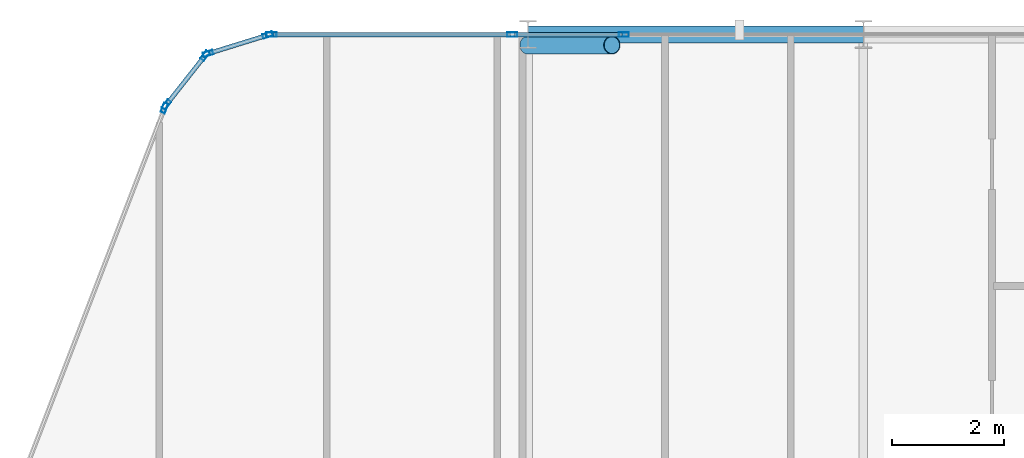
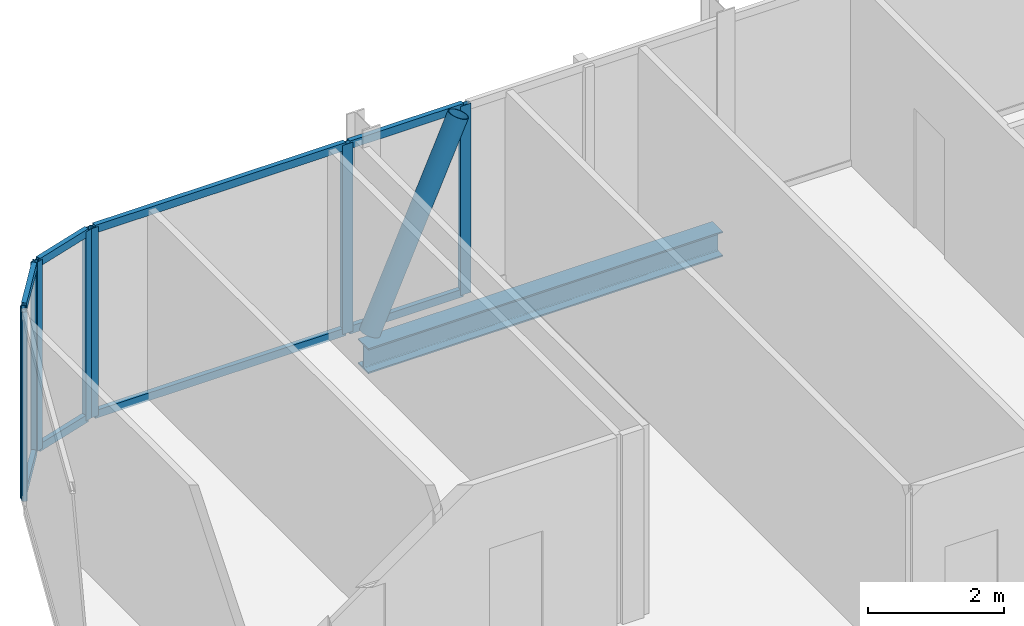
# One storey, part 17 of 31: 17 members, 1 beam, 5 elements without a shape of their own.
"""IFC4 building model written with IfcOpenShell, lengths in metres."""

from ifc_helpers import new_model, si_unit, direction, frame, origin, origin_2d, place, context, subcontext, project, spatial, hollow_rectangle, hollow_circle, i_section, extrude, material, layer, layer_set, material_profile, profile_set, type_object, element, aggregate, save


model = new_model("IFC4")

# Units and contexts
model_context = context("Model", 3, precision=1e-05, world=origin(), true_north=direction((0.0, 1.0)))
body_context = subcontext(model_context, "Body", "Model", "MODEL_VIEW")
ifc_project = project(units=[si_unit("LENGTHUNIT", "METRE"), si_unit("AREAUNIT", "SQUARE_METRE"), si_unit("VOLUMEUNIT", "CUBIC_METRE"), si_unit("PLANEANGLEUNIT", "RADIAN"), si_unit("MASSUNIT", "GRAM", prefix="KILO")], contexts=[model_context])

# Site, building, storey
site_placement = place(None, origin())
site = spatial("IfcSite", under=ifc_project, at=site_placement, CompositionType="ELEMENT")
building_placement = place(site_placement, origin())
building = spatial("IfcBuilding", under=site, at=building_placement, Name="Keshet Zoharim Tower", CompositionType="ELEMENT")
storey_placement = place(building_placement, frame((0.0, 0.0, 133.5)))
storey = spatial("IfcBuildingStorey", under=building, at=storey_placement, Name="L32", CompositionType="ELEMENT", Elevation=133.5)

# Beam
ifc_material_1 = material(Name="Steel S355", Category="steel")
ifc_material_profile_1 = material_profile(ifc_material_1, i_section(OverallWidth=0.300048828125, OverallDepth=0.449951171875, WebThickness=0.013916015625, FlangeThickness=0.02587890625, FilletRadius=0.027099609375, at=origin_2d()), Name="HEB450")
ifc_profile_set_1 = profile_set([ifc_material_profile_1], Name="Steel S355")
beam_type = type_object("IfcBeamType", Name="BM-WEB-HB450", PredefinedType="BEAM", material=ifc_profile_set_1)
beam_placement = place(storey_placement, frame((21.0, 53.89990234375, -0.5400390625), z_axis=(1.0, 0.0, 0.0), x_axis=(0.0, 1.0, 0.0)))
element("IfcBeam", 1, at=beam_placement, inside=storey, type_object=beam_type, Name="L32 Primary Girder X-020", PredefinedType="BEAM", context=body_context, shape_type="SweptSolid", body=[
    extrude(i_section(OverallWidth=0.300048828125, OverallDepth=0.449951171875, WebThickness=0.013916015625, FlangeThickness=0.02587890625, FilletRadius=0.027099609375, at=origin_2d()), origin(), (0.0, 0.0, 1.0), 6.0),
])

# Curtain wall, member
ifc_material_2 = material(Name="Aluminium 6063-T6", Category="aluminium")
ifc_layer = layer(ifc_material_2, 0.159912109375)
ifc_layer_set = layer_set([ifc_layer], Name="Aluminium 6063-T6")
curtain_wall_type = type_object("IfcCurtainWallType", Name="CW-SYS-03", PredefinedType="NOTDEFINED", material=ifc_layer_set)
curtain_wall_1_placement = place(storey_placement, origin())
curtain_wall_1 = element("IfcCurtainWall", 2, at=curtain_wall_1_placement, inside=storey, type_object=curtain_wall_type, Name="L32 Unitised Curtain Wall 10", PredefinedType="NOTDEFINED")
ifc_material_profile_2 = material_profile(ifc_material_2, hollow_rectangle(XDim=0.080078125, YDim=0.179931640625, WallThickness=0.00439453125, at=origin_2d()), Name="MUL-80x180")
ifc_profile_set_2 = profile_set([ifc_material_profile_2], Name="Aluminium 6063-T6")
member_type_1 = type_object("IfcMemberType", Name="CWM-M18", PredefinedType="MULLION", material=ifc_profile_set_2)
member_1_placement = place(storey_placement, frame((14.494384765625, 52.58544921875, 0.0), z_axis=(0.0, 0.0, 1.0), x_axis=(-0.933341404361, 0.358990003907, 0.0)))
member_1 = element("IfcMember", 3, at=member_1_placement, type_object=member_type_1, Name="CW-03 mullion 4", PredefinedType="MULLION", context=body_context, shape_type="SweptSolid", body=[
    extrude(hollow_rectangle(XDim=0.080078125, YDim=0.179931640625, WallThickness=0.00439453125, at=origin_2d()), origin(), (0.0, 0.0, 1.0), 3.385009765625),
])
aggregate(curtain_wall_1, [member_1])

# Curtain wall, members
curtain_wall_2_placement = place(storey_placement, origin())
curtain_wall_2 = element("IfcCurtainWall", 4, at=curtain_wall_2_placement, inside=storey, type_object=curtain_wall_type, Name="L32 Unitised Curtain Wall 11", PredefinedType="NOTDEFINED")
member_2_placement = place(storey_placement, frame((14.528564453125, 52.6455078125, 0.0), z_axis=(0.0, 0.0, 1.0), x_axis=(-0.785292825205, 0.619124525989, 0.0)))
member_2 = element("IfcMember", 5, at=member_2_placement, type_object=member_type_1, Name="CW-03 mullion 1", PredefinedType="MULLION", context=body_context, shape_type="SweptSolid", body=[
    extrude(hollow_rectangle(XDim=0.080078125, YDim=0.179931640625, WallThickness=0.00439453125, at=origin_2d()), origin(), (0.0, 0.0, 1.0), 3.385009765625),
])
member_3_placement = place(storey_placement, frame((15.21923828125, 53.521484375, 0.0), z_axis=(0.0, 0.0, 1.0), x_axis=(-0.785292825205, 0.619124525989, 0.0)))
member_3 = element("IfcMember", 6, at=member_3_placement, type_object=member_type_1, Name="CW-03 mullion 2", PredefinedType="MULLION", context=body_context, shape_type="SweptSolid", body=[
    extrude(hollow_rectangle(XDim=0.080078125, YDim=0.179931640625, WallThickness=0.00439453125, at=origin_2d()), origin(), (0.0, 0.0, 1.0), 3.385009765625),
])

curtain_wall_3_placement = place(storey_placement, origin())
curtain_wall_3 = element("IfcCurtainWall", 7, at=curtain_wall_3_placement, inside=storey, type_object=curtain_wall_type, Name="L32 Unitised Curtain Wall 12", PredefinedType="NOTDEFINED")
member_4_placement = place(storey_placement, frame((15.2744140625, 53.559326171875, 0.0), z_axis=(0.0, 0.0, 1.0), x_axis=(-0.295921857984, 0.955212151288, 0.0)))
member_4 = element("IfcMember", 8, at=member_4_placement, type_object=member_type_1, Name="CW-03 mullion 1", PredefinedType="MULLION", context=body_context, shape_type="SweptSolid", body=[
    extrude(hollow_rectangle(XDim=0.080078125, YDim=0.179931640625, WallThickness=0.00439453125, at=origin_2d()), origin(), (0.0, 0.0, 1.0), 3.385009765625),
])
member_5_placement = place(storey_placement, frame((16.340576171875, 53.8896484375, 0.0), z_axis=(0.0, 0.0, 1.0), x_axis=(-0.295921857984, 0.955212151288, 0.0)))
member_5 = element("IfcMember", 9, at=member_5_placement, type_object=member_type_1, Name="CW-03 mullion 2", PredefinedType="MULLION", context=body_context, shape_type="SweptSolid", body=[
    extrude(hollow_rectangle(XDim=0.080078125, YDim=0.179931640625, WallThickness=0.00439453125, at=origin_2d()), origin(), (0.0, 0.0, 1.0), 3.385009765625),
])

curtain_wall_4_placement = place(storey_placement, origin())
curtain_wall_4 = element("IfcCurtainWall", 10, at=curtain_wall_4_placement, inside=storey, type_object=curtain_wall_type, Name="L32 Unitised Curtain Wall 13", PredefinedType="NOTDEFINED")
member_6_placement = place(storey_placement, frame((16.408935546875, 53.89990234375, 0.0), z_axis=(0.0, 0.0, 1.0), x_axis=(0.0, 1.0, 0.0)))
member_6 = element("IfcMember", 11, at=member_6_placement, type_object=member_type_1, Name="CW-03 mullion 1", PredefinedType="MULLION", context=body_context, shape_type="SweptSolid", body=[
    extrude(hollow_rectangle(XDim=0.080078125, YDim=0.179931640625, WallThickness=0.00439453125, at=origin_2d()), origin(), (0.0, 0.0, 1.0), 3.385009765625),
])
member_7_placement = place(storey_placement, frame((20.716796875, 53.89990234375, 0.0), z_axis=(0.0, 0.0, 1.0), x_axis=(0.0, 1.0, 0.0)))
member_7 = element("IfcMember", 12, at=member_7_placement, type_object=member_type_1, Name="CW-03 mullion 2", PredefinedType="MULLION", context=body_context, shape_type="SweptSolid", body=[
    extrude(hollow_rectangle(XDim=0.080078125, YDim=0.179931640625, WallThickness=0.00439453125, at=origin_2d()), origin(), (0.0, 0.0, 1.0), 3.385009765625),
])

# Curtain wall, member
curtain_wall_5_placement = place(storey_placement, origin())
curtain_wall_5 = element("IfcCurtainWall", 13, at=curtain_wall_5_placement, inside=storey, type_object=curtain_wall_type, Name="L32 Unitised Curtain Wall 13 Part 2", PredefinedType="NOTDEFINED")
member_8_placement = place(storey_placement, frame((22.713134765625, 53.89990234375, 0.0), z_axis=(0.0, 0.0, 1.0), x_axis=(0.0, 1.0, 0.0)))
member_8 = element("IfcMember", 14, at=member_8_placement, type_object=member_type_1, Name="CW-03 mullion 2", PredefinedType="MULLION", context=body_context, shape_type="SweptSolid", body=[
    extrude(hollow_rectangle(XDim=0.080078125, YDim=0.179931640625, WallThickness=0.00439453125, at=origin_2d()), origin(), (0.0, 0.0, 1.0), 3.385009765625),
])

# Member
ifc_material_profile_3 = material_profile(ifc_material_2, hollow_rectangle(XDim=0.080078125, YDim=0.139892578125, WallThickness=0.00390625, at=origin_2d()), Name="TRN-80x140")
ifc_profile_set_3 = profile_set([ifc_material_profile_3], Name="Aluminium 6063-T6")
member_type_2 = type_object("IfcMemberType", Name="CWT-T14", PredefinedType="USERDEFINED", material=ifc_profile_set_3)
member_9_placement = place(storey_placement, frame((14.55029296875, 52.6728515625, 0.034912109375), z_axis=(0.619099165969, 0.78531281837, 0.0), x_axis=(-0.78531281837, 0.619099165969, 0.0)))
member_9 = element("IfcMember", 15, at=member_9_placement, type_object=member_type_2, Name="CW-03 transom 1.1", ObjectType="TRANSOM", PredefinedType="USERDEFINED", context=body_context, shape_type="SweptSolid", body=[
    extrude(hollow_rectangle(XDim=0.080078125, YDim=0.139892578125, WallThickness=0.00390625, at=origin_2d()), origin(), (0.0, 0.0, 1.0), 1.0458984375),
])

member_10_placement = place(storey_placement, frame((14.55029296875, 52.6728515625, 3.35009765625), z_axis=(0.619099165969, 0.78531281837, 0.0), x_axis=(-0.78531281837, 0.619099165969, 0.0)))
member_10 = element("IfcMember", 16, at=member_10_placement, type_object=member_type_2, Name="CW-03 transom 1.2", ObjectType="TRANSOM", PredefinedType="USERDEFINED", context=body_context, shape_type="SweptSolid", body=[
    extrude(hollow_rectangle(XDim=0.080078125, YDim=0.139892578125, WallThickness=0.00390625, at=origin_2d()), origin(), (0.0, 0.0, 1.0), 1.0458984375),
])

aggregate(curtain_wall_2, [member_2, member_3, member_9, member_10])

member_11_placement = place(storey_placement, frame((15.307861328125, 53.56982421875, 0.034912109375), z_axis=(0.955212093062, 0.295922045933, 0.0), x_axis=(-0.295922045933, 0.955212093062, 0.0)))
member_11 = element("IfcMember", 17, at=member_11_placement, type_object=member_type_2, Name="CW-03 transom 1.1", ObjectType="TRANSOM", PredefinedType="USERDEFINED", context=body_context, shape_type="SweptSolid", body=[
    extrude(hollow_rectangle(XDim=0.080078125, YDim=0.139892578125, WallThickness=0.00390625, at=origin_2d()), origin(), (0.0, 0.0, 1.0), 1.046142578125),
])

member_12_placement = place(storey_placement, frame((15.307861328125, 53.56982421875, 3.35009765625), z_axis=(0.955212093062, 0.295922045933, 0.0), x_axis=(-0.295922045933, 0.955212093062, 0.0)))
member_12 = element("IfcMember", 18, at=member_12_placement, type_object=member_type_2, Name="CW-03 transom 1.2", ObjectType="TRANSOM", PredefinedType="USERDEFINED", context=body_context, shape_type="SweptSolid", body=[
    extrude(hollow_rectangle(XDim=0.080078125, YDim=0.139892578125, WallThickness=0.00390625, at=origin_2d()), origin(), (0.0, 0.0, 1.0), 1.046142578125),
])

aggregate(curtain_wall_3, [member_4, member_5, member_11, member_12])

member_13_placement = place(storey_placement, frame((16.444091796875, 53.89990234375, 0.034912109375), z_axis=(1.0, 0.0, 0.0), x_axis=(0.0, 1.0, 0.0)))
member_13 = element("IfcMember", 19, at=member_13_placement, type_object=member_type_2, Name="CW-03 transom 1.1", ObjectType="TRANSOM", PredefinedType="USERDEFINED", context=body_context, shape_type="SweptSolid", body=[
    extrude(hollow_rectangle(XDim=0.080078125, YDim=0.139892578125, WallThickness=0.00390625, at=origin_2d()), origin(), (0.0, 0.0, 1.0), 4.23779296875),
])

member_14_placement = place(storey_placement, frame((16.444091796875, 53.89990234375, 3.35009765625), z_axis=(1.0, 0.0, 0.0), x_axis=(0.0, 1.0, 0.0)))
member_14 = element("IfcMember", 20, at=member_14_placement, type_object=member_type_2, Name="CW-03 transom 1.2", ObjectType="TRANSOM", PredefinedType="USERDEFINED", context=body_context, shape_type="SweptSolid", body=[
    extrude(hollow_rectangle(XDim=0.080078125, YDim=0.139892578125, WallThickness=0.00390625, at=origin_2d()), origin(), (0.0, 0.0, 1.0), 4.23779296875),
])

aggregate(curtain_wall_4, [member_6, member_7, member_13, member_14])

member_15_placement = place(storey_placement, frame((20.751953125, 53.89990234375, 0.034912109375), z_axis=(1.0, 0.0, 0.0), x_axis=(0.0, 1.0, 0.0)))
member_15 = element("IfcMember", 21, at=member_15_placement, type_object=member_type_2, Name="CW-03 transom 1.1", ObjectType="TRANSOM", PredefinedType="USERDEFINED", context=body_context, shape_type="SweptSolid", body=[
    extrude(hollow_rectangle(XDim=0.080078125, YDim=0.139892578125, WallThickness=0.00390625, at=origin_2d()), origin(), (0.0, 0.0, 1.0), 1.926025390625),
])

member_16_placement = place(storey_placement, frame((20.751953125, 53.89990234375, 3.35009765625), z_axis=(1.0, 0.0, 0.0), x_axis=(0.0, 1.0, 0.0)))
member_16 = element("IfcMember", 22, at=member_16_placement, type_object=member_type_2, Name="CW-03 transom 1.2", ObjectType="TRANSOM", PredefinedType="USERDEFINED", context=body_context, shape_type="SweptSolid", body=[
    extrude(hollow_rectangle(XDim=0.080078125, YDim=0.139892578125, WallThickness=0.00390625, at=origin_2d()), origin(), (0.0, 0.0, 1.0), 1.926025390625),
])

aggregate(curtain_wall_5, [member_8, member_15, member_16])

ifc_material_profile_4 = material_profile(ifc_material_1, hollow_circle(Radius=0.161865234375, WallThickness=0.012451171875, at=origin_2d()), Name="CHS323x12.5")
ifc_profile_set_4 = profile_set([ifc_material_profile_4], Name="Steel S355")
member_type_3 = type_object("IfcMemberType", Name="MB-BR-C323", PredefinedType="BRACE", material=ifc_profile_set_4)
member_17_placement = place(storey_placement, frame((21.0, 53.7099609375, 0.0), z_axis=(0.405134846829, 0.0, 0.91425694194), x_axis=(0.0, 1.0, 0.0)))
element("IfcMember", 23, at=member_17_placement, inside=storey, type_object=member_type_3, Name="L32 Perimeter Tube Brace 02", PredefinedType="BRACE", context=body_context, shape_type="SweptSolid", body=[
    extrude(hollow_circle(Radius=0.161865234375, WallThickness=0.012451171875, at=origin_2d()), origin(), (0.0, 0.0, 1.0), 3.702392578125),
])

save(model, "model.ifc")
